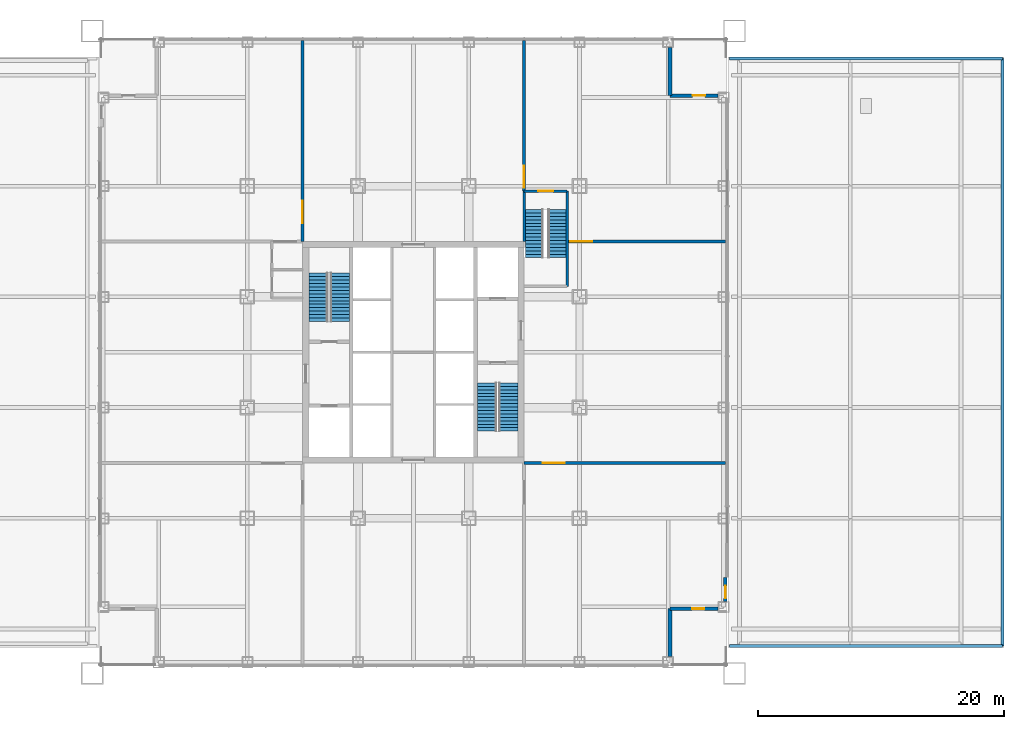
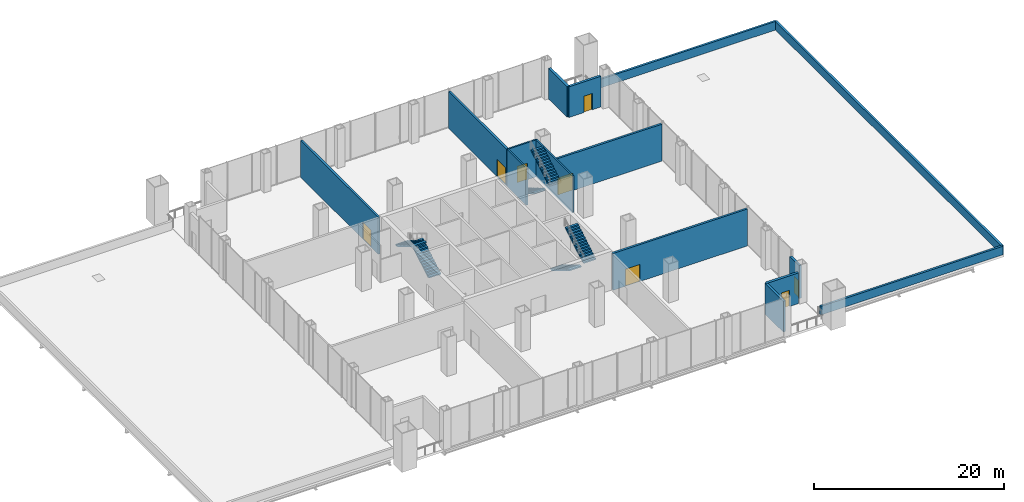
# One storey, part 15 of 16: 15 walls, 8 doors, 6 stair flights, 8 openings, 3 elements without a shape of their own.
"""IFC4 building model written with IfcOpenShell, lengths in metres."""

from ifc_helpers import new_model, si_unit, direction, frame, frame_2d, origin, place, context, subcontext, project, spatial, polyline, rectangle, outline, extrude, material, layer, layer_set, type_object, element, fill, aggregate, save


model = new_model("IFC4")

# Units and contexts
model_context = context("Model", 3, precision=1e-05, world=origin(), true_north=direction((0.0, 1.0)))
body_context = subcontext(model_context, "Body", "Model", "MODEL_VIEW")
ifc_project = project(units=[si_unit("LENGTHUNIT", "METRE"), si_unit("AREAUNIT", "SQUARE_METRE"), si_unit("VOLUMEUNIT", "CUBIC_METRE"), si_unit("PLANEANGLEUNIT", "RADIAN"), si_unit("MASSUNIT", "GRAM", prefix="KILO")], contexts=[model_context])

# Site, building, storey
site_placement = place(None, origin())
site = spatial("IfcSite", under=ifc_project, at=site_placement, CompositionType="ELEMENT")
building_placement = place(site_placement, origin())
building = spatial("IfcBuilding", under=site, at=building_placement, Name="Malebo Sky Hospital", CompositionType="ELEMENT")
storey_placement = place(building_placement, frame((0.0, 0.0, 26.0)))
storey = spatial("IfcBuildingStorey", under=building, at=storey_placement, Name="L05", CompositionType="ELEMENT", Elevation=26.0)

# Wall, opening, door
ifc_material_1 = material(Name="Anodised aluminium rainscreen on steel framing", Category="steel")
ifc_layer_1 = layer(ifc_material_1, 0.300048828125)
ifc_layer_set_1 = layer_set([ifc_layer_1], Name="NOTCH RAINSCREEN WALL 300")
wall_type_1 = type_object("IfcWallType", Name="NOTCH RAINSCREEN WALL 300", PredefinedType="ELEMENTEDWALL", material=ifc_layer_set_1)
wall_1_placement = place(storey_placement, frame((85.35009765625, 43.699951171875, 0.0), z_axis=(0.0, 0.0, 1.0), x_axis=(0.0, -1.0, 0.0)))
wall_1 = element("IfcWall", 1, at=wall_1_placement, inside=storey, type_object=wall_type_1, Name="Rainscreen panel at maintenance door L05", PredefinedType="ELEMENTEDWALL", context=body_context, shape_type="SweptSolid", body=[
    extrude(rectangle(XDim=1.949951171875, YDim=0.300048828125, at=frame_2d((0.97509765625, 0.0))), origin(), (0.0, 0.0, 1.0), 4.25),
])
opening_1_placement = place(wall_1_placement, frame((0.699951171875, 0.0, 0.0)))
opening_1 = element("IfcOpeningElement", 2, at=opening_1_placement, cuts=wall_1, Name="Opening D30", PredefinedType="OPENING", context=body_context, shape_type="SweptSolid", body=[
    extrude(rectangle(XDim=1.0, YDim=2.10009765625, at=frame_2d((0.5, 1.050048828125))), frame((0.0, 0.159912109375, 0.0), z_axis=(0.0, -1.0, 0.0), x_axis=(1.0, 0.0, 0.0)), (0.0, 0.0, 1.0), 0.320068359375),
])
ifc_material_2 = material(Name="Galvanised steel weathertight door leaf in steel frame", Category="steel")
door_type_1 = type_object("IfcDoorType", Name="MAINTENANCE ACCESS DOOR 1000", OperationType="SINGLE_SWING_LEFT", PredefinedType="DOOR", material=ifc_material_2)
door_1_placement = place(opening_1_placement, frame((1.0, 0.0, 0.0), z_axis=(0.0, 0.0, 1.0), x_axis=(-1.0, 0.0, 0.0)))
door_1 = element("IfcDoor", 3, at=door_1_placement, inside=storey, type_object=door_type_1, Name="Maintenance access door to roof", OperationType="SINGLE_SWING_RIGHT", OverallHeight=2.10009765625, OverallWidth=1.0, PredefinedType="DOOR", context=body_context, shape_type="SweptSolid", body=[
    extrude(rectangle(XDim=1.0, YDim=2.10009765625, at=frame_2d((0.5, 1.050048828125))), frame((0.0, 0.02490234375, 0.0), z_axis=(0.0, -1.0, 0.0), x_axis=(1.0, 0.0, 0.0)), (0.0, 0.0, 1.0), 0.050048828125),
])
fill(opening_1, door_1)

# Wall
wall_2_placement = place(storey_placement, frame((80.85009765625, 86.75, 0.0), z_axis=(0.0, 0.0, 1.0), x_axis=(0.0, -1.0, 0.0)))
element("IfcWall", 4, at=wall_2_placement, inside=storey, type_object=wall_type_1, Name="Notch rainscreen wall N1 L05", PredefinedType="ELEMENTEDWALL", context=body_context, shape_type="SweptSolid", body=[
    extrude(rectangle(XDim=3.89990234375, YDim=0.300048828125, at=frame_2d((1.949951171875, 0.0))), origin(), (0.0, 0.0, 1.0), 3.949951171875),
])

# Wall, opening, door
wall_3_placement = place(storey_placement, frame((80.85009765625, 82.85009765625, 0.0), z_axis=(0.0, 0.0, 1.0), x_axis=(1.0, 0.0, 0.0)))
wall_3 = element("IfcWall", 5, at=wall_3_placement, inside=storey, type_object=wall_type_1, Name="Notch rainscreen wall N2 L05", PredefinedType="ELEMENTEDWALL", context=body_context, shape_type="SweptSolid", body=[
    extrude(rectangle(XDim=3.89990234375, YDim=0.300048828125, at=frame_2d((1.949951171875, 0.0))), origin(), (0.0, 0.0, 1.0), 3.949951171875),
])
opening_2_placement = place(wall_3_placement, frame((1.85009765625, 0.0, 0.0)))
opening_2 = element("IfcOpeningElement", 6, at=opening_2_placement, cuts=wall_3, Name="Opening D30", PredefinedType="OPENING", context=body_context, shape_type="SweptSolid", body=[
    extrude(rectangle(XDim=1.0, YDim=2.10009765625, at=frame_2d((0.5, 1.050048828125))), frame((0.0, 0.159912109375, 0.0), z_axis=(0.0, -1.0, 0.0), x_axis=(1.0, 0.0, 0.0)), (0.0, 0.0, 1.0), 0.320068359375),
])
door_2_placement = place(opening_2_placement, frame((1.0, 0.0, 0.0), z_axis=(0.0, 0.0, 1.0), x_axis=(-1.0, 0.0, 0.0)))
door_2 = element("IfcDoor", 7, at=door_2_placement, inside=storey, type_object=door_type_1, Name="Maintenance access door to roof", OperationType="SINGLE_SWING_RIGHT", OverallHeight=2.10009765625, OverallWidth=1.0, PredefinedType="DOOR", context=body_context, shape_type="SweptSolid", body=[
    extrude(rectangle(XDim=1.0, YDim=2.10009765625, at=frame_2d((0.5, 1.050048828125))), frame((0.0, 0.02490234375, 0.0), z_axis=(0.0, -1.0, 0.0), x_axis=(1.0, 0.0, 0.0)), (0.0, 0.0, 1.0), 0.050048828125),
])
fill(opening_2, door_2)

wall_4_placement = place(storey_placement, frame((84.75, 41.14990234375, 0.0), z_axis=(0.0, 0.0, 1.0), x_axis=(-1.0, 0.0, 0.0)))
wall_4 = element("IfcWall", 8, at=wall_4_placement, inside=storey, type_object=wall_type_1, Name="Notch rainscreen wall E1 L05", PredefinedType="ELEMENTEDWALL", context=body_context, shape_type="SweptSolid", body=[
    extrude(rectangle(XDim=3.89990234375, YDim=0.300048828125, at=frame_2d((1.949951171875, 0.0))), origin(), (0.0, 0.0, 1.0), 3.949951171875),
])
opening_3_placement = place(wall_4_placement, frame((1.10009765625, 0.0, 0.0)))
opening_3 = element("IfcOpeningElement", 9, at=opening_3_placement, cuts=wall_4, Name="Opening D30", PredefinedType="OPENING", context=body_context, shape_type="SweptSolid", body=[
    extrude(rectangle(XDim=1.0, YDim=2.10009765625, at=frame_2d((0.5, 1.050048828125))), frame((0.0, 0.159912109375, 0.0), z_axis=(0.0, -1.0, 0.0), x_axis=(1.0, 0.0, 0.0)), (0.0, 0.0, 1.0), 0.320068359375),
])
door_3_placement = place(opening_3_placement, frame((1.0, 0.0, 0.0), z_axis=(0.0, 0.0, 1.0), x_axis=(-1.0, 0.0, 0.0)))
door_3 = element("IfcDoor", 10, at=door_3_placement, inside=storey, type_object=door_type_1, Name="Maintenance access door to roof", OperationType="SINGLE_SWING_RIGHT", OverallHeight=2.10009765625, OverallWidth=1.0, PredefinedType="DOOR", context=body_context, shape_type="SweptSolid", body=[
    extrude(rectangle(XDim=1.0, YDim=2.10009765625, at=frame_2d((0.5, 1.050048828125))), frame((0.0, 0.02490234375, 0.0), z_axis=(0.0, -1.0, 0.0), x_axis=(1.0, 0.0, 0.0)), (0.0, 0.0, 1.0), 0.050048828125),
])
fill(opening_3, door_3)

# Walls
wall_5_placement = place(storey_placement, frame((80.85009765625, 41.14990234375, 0.0), z_axis=(0.0, 0.0, 1.0), x_axis=(0.0, -1.0, 0.0)))
element("IfcWall", 11, at=wall_5_placement, inside=storey, type_object=wall_type_1, Name="Notch rainscreen wall E2 L05", PredefinedType="ELEMENTEDWALL", context=body_context, shape_type="SweptSolid", body=[
    extrude(rectangle(XDim=3.89990234375, YDim=0.300048828125, at=frame_2d((1.949951171875, 0.0))), origin(), (0.0, 0.0, 1.0), 3.949951171875),
])
ifc_material_3 = material(Name="Reinforced concrete upstand with aluminium coping", Category="concrete")
ifc_layer_2 = layer(ifc_material_3, 0.25)
ifc_layer_set_2 = layer_set([ifc_layer_2], Name="PARAPET 250")
wall_type_2 = type_object("IfcWallType", Name="PARAPET 250", PredefinedType="PARAPET", material=ifc_layer_set_2)
wall_6_placement = place(storey_placement, frame((107.875, 38.125, 0.0), z_axis=(0.0, 0.0, 1.0), x_axis=(0.0, 1.0, 0.0)))
element("IfcWall", 12, at=wall_6_placement, inside=storey, type_object=wall_type_2, Name="Podium roof parapet EE", PredefinedType="PARAPET", context=body_context, shape_type="SweptSolid", body=[
    extrude(rectangle(XDim=47.75, YDim=0.25, at=frame_2d((23.875, 0.0))), origin(), (0.0, 0.0, 1.0), 1.10009765625),
])
for number, where, z_axis, x_axis, name in (
    (13, (85.699951171875, 38.125, 0.0), (0.0, 0.0, 1.0), (1.0, 0.0, 0.0), "Podium roof parapet ES"),
    (14, (85.699951171875, 85.875, 0.0), (0.0, 0.0, 1.0), (1.0, 0.0, 0.0), "Podium roof parapet EN"),
):
    element("IfcWall", number, at=place(storey_placement, frame(where, z_axis=z_axis, x_axis=x_axis)), inside=storey, type_object=wall_type_2, Name=name, PredefinedType="PARAPET", context=body_context, shape_type="SweptSolid", body=[
        extrude(rectangle(XDim=22.175048828125, YDim=0.25, at=frame_2d((11.08740234375, 0.0))), origin(), (0.0, 0.0, 1.0), 1.10009765625),
    ])

# Wall, opening, door
ifc_material_4 = material(Name="Concrete blockwork", Category="masonry")
ifc_layer_3 = layer(ifc_material_4, 0.25)
ifc_layer_set_3 = layer_set([ifc_layer_3], Name="PLANT ROOM WALL 250")
wall_type_3 = type_object("IfcWallType", Name="PLANT ROOM WALL 250", PredefinedType="SOLIDWALL", material=ifc_layer_set_3)
wall_7_placement = place(storey_placement, frame((69.0, 75.10009765625, 0.0), z_axis=(0.0, 0.0, 1.0), x_axis=(0.0, 1.0, 0.0)))
wall_7 = element("IfcWall", 15, at=wall_7_placement, inside=storey, type_object=wall_type_3, Name="Plant Room Wall 250 NP9", PredefinedType="SOLIDWALL", context=body_context, shape_type="SweptSolid", body=[
    extrude(rectangle(XDim=12.25, YDim=0.25, at=frame_2d((6.125, 0.0))), origin(), (0.0, 0.0, 1.0), 4.75),
])
opening_4_placement = place(wall_7_placement, frame((0.25, 0.0, 0.0)))
opening_4 = element("IfcOpeningElement", 16, at=opening_4_placement, cuts=wall_7, Name="Opening D09", PredefinedType="OPENING", context=body_context, shape_type="SweptSolid", body=[
    extrude(rectangle(XDim=1.800048828125, YDim=2.199951171875, at=frame_2d((0.89990234375, 1.10009765625))), frame((0.0, 0.135009765625, 0.0), z_axis=(0.0, -1.0, 0.0), x_axis=(1.0, 0.0, 0.0)), (0.0, 0.0, 1.0), 0.27001953125),
])
ifc_material_5 = material(Name="Hardwood-faced door leaf in steel frame", Category="steel")
door_type_2 = type_object("IfcDoorType", Name="PLANT ROOM DOOR PAIR 1800", OperationType="DOUBLE_DOOR_SINGLE_SWING", PredefinedType="DOOR", material=ifc_material_5)
door_4_placement = place(opening_4_placement, origin())
door_4 = element("IfcDoor", 17, at=door_4_placement, inside=storey, type_object=door_type_2, Name="Medical gas plant room door", OperationType="DOUBLE_DOOR_SINGLE_SWING", OverallHeight=2.199951171875, OverallWidth=1.800048828125, PredefinedType="DOOR", context=body_context, shape_type="SweptSolid", body=[
    extrude(rectangle(XDim=1.800048828125, YDim=2.199951171875, at=frame_2d((0.89990234375, 1.10009765625))), frame((0.0, 0.02490234375, 0.0), z_axis=(0.0, -1.0, 0.0), x_axis=(1.0, 0.0, 0.0)), (0.0, 0.0, 1.0), 0.050048828125),
])
fill(opening_4, door_4)

wall_8_placement = place(storey_placement, frame((51.0, 71.0, 0.0), z_axis=(0.0, 0.0, 1.0), x_axis=(0.0, 1.0, 0.0)))
wall_8 = element("IfcWall", 18, at=wall_8_placement, inside=storey, type_object=wall_type_3, Name="Plant Room Wall 250 NP8", PredefinedType="SOLIDWALL", context=body_context, shape_type="SweptSolid", body=[
    extrude(rectangle(XDim=16.35009765625, YDim=0.25, at=frame_2d((8.175048828125, 0.0))), origin(), (0.0, 0.0, 1.0), 4.75),
])
opening_5_placement = place(wall_8_placement, frame((1.5, 0.0, 0.0)))
opening_5 = element("IfcOpeningElement", 19, at=opening_5_placement, cuts=wall_8, Name="Opening D09", PredefinedType="OPENING", context=body_context, shape_type="SweptSolid", body=[
    extrude(rectangle(XDim=1.800048828125, YDim=2.199951171875, at=frame_2d((0.89990234375, 1.10009765625))), frame((0.0, 0.135009765625, 0.0), z_axis=(0.0, -1.0, 0.0), x_axis=(1.0, 0.0, 0.0)), (0.0, 0.0, 1.0), 0.27001953125),
])
door_5_placement = place(opening_5_placement, origin())
door_5 = element("IfcDoor", 20, at=door_5_placement, inside=storey, type_object=door_type_2, Name="Air handling plant room door", OperationType="DOUBLE_DOOR_SINGLE_SWING", OverallHeight=2.199951171875, OverallWidth=1.800048828125, PredefinedType="DOOR", context=body_context, shape_type="SweptSolid", body=[
    extrude(rectangle(XDim=1.800048828125, YDim=2.199951171875, at=frame_2d((0.89990234375, 1.10009765625))), frame((0.0, 0.02490234375, 0.0), z_axis=(0.0, -1.0, 0.0), x_axis=(1.0, 0.0, 0.0)), (0.0, 0.0, 1.0), 0.050048828125),
])
fill(opening_5, door_5)

wall_9_placement = place(storey_placement, frame((69.0, 53.0, 0.0), z_axis=(0.0, 0.0, 1.0), x_axis=(1.0, 0.0, 0.0)))
wall_9 = element("IfcWall", 21, at=wall_9_placement, inside=storey, type_object=wall_type_3, Name="Plant Room Wall 250 EP9", PredefinedType="SOLIDWALL", context=body_context, shape_type="SweptSolid", body=[
    extrude(rectangle(XDim=16.35009765625, YDim=0.25, at=frame_2d((8.175048828125, 0.0))), origin(), (0.0, 0.0, 1.0), 4.75),
])
opening_6_placement = place(wall_9_placement, frame((1.5, 0.0, 0.0)))
opening_6 = element("IfcOpeningElement", 22, at=opening_6_placement, cuts=wall_9, Name="Opening D09", PredefinedType="OPENING", context=body_context, shape_type="SweptSolid", body=[
    extrude(rectangle(XDim=1.800048828125, YDim=2.199951171875, at=frame_2d((0.89990234375, 1.10009765625))), frame((0.0, 0.135009765625, 0.0), z_axis=(0.0, -1.0, 0.0), x_axis=(1.0, 0.0, 0.0)), (0.0, 0.0, 1.0), 0.27001953125),
])
door_6_placement = place(opening_6_placement, origin())
door_6 = element("IfcDoor", 23, at=door_6_placement, inside=storey, type_object=door_type_2, Name="Fire pump room door", OperationType="DOUBLE_DOOR_SINGLE_SWING", OverallHeight=2.199951171875, OverallWidth=1.800048828125, PredefinedType="DOOR", context=body_context, shape_type="SweptSolid", body=[
    extrude(rectangle(XDim=1.800048828125, YDim=2.199951171875, at=frame_2d((0.89990234375, 1.10009765625))), frame((0.0, 0.02490234375, 0.0), z_axis=(0.0, -1.0, 0.0), x_axis=(1.0, 0.0, 0.0)), (0.0, 0.0, 1.0), 0.050048828125),
])
fill(opening_6, door_6)

wall_10_placement = place(storey_placement, frame((72.5, 71.0, 0.0), z_axis=(0.0, 0.0, 1.0), x_axis=(1.0, 0.0, 0.0)))
wall_10 = element("IfcWall", 24, at=wall_10_placement, inside=storey, type_object=wall_type_3, Name="Plant Room Wall 250 EP8", PredefinedType="SOLIDWALL", context=body_context, shape_type="SweptSolid", body=[
    extrude(rectangle(XDim=12.85009765625, YDim=0.25, at=frame_2d((6.425048828125, 0.0))), origin(), (0.0, 0.0, 1.0), 4.75),
])
opening_7_placement = place(wall_10_placement, frame((0.25, 0.0, 0.0)))
opening_7 = element("IfcOpeningElement", 25, at=opening_7_placement, cuts=wall_10, Name="Opening D09", PredefinedType="OPENING", context=body_context, shape_type="SweptSolid", body=[
    extrude(rectangle(XDim=1.800048828125, YDim=2.199951171875, at=frame_2d((0.89990234375, 1.10009765625))), frame((0.0, 0.135009765625, 0.0), z_axis=(0.0, -1.0, 0.0), x_axis=(1.0, 0.0, 0.0)), (0.0, 0.0, 1.0), 0.27001953125),
])
door_7_placement = place(opening_7_placement, origin())
door_7 = element("IfcDoor", 26, at=door_7_placement, inside=storey, type_object=door_type_2, Name="Refuge area east door", OperationType="DOUBLE_DOOR_SINGLE_SWING", OverallHeight=2.199951171875, OverallWidth=1.800048828125, PredefinedType="DOOR", context=body_context, shape_type="SweptSolid", body=[
    extrude(rectangle(XDim=1.800048828125, YDim=2.199951171875, at=frame_2d((0.89990234375, 1.10009765625))), frame((0.0, 0.02490234375, 0.0), z_axis=(0.0, -1.0, 0.0), x_axis=(1.0, 0.0, 0.0)), (0.0, 0.0, 1.0), 0.050048828125),
])
fill(opening_7, door_7)

# Walls
ifc_material_6 = material(Name="Concrete C40/50", Category="concrete")
ifc_layer_4 = layer(ifc_material_6, 0.199951171875)
ifc_layer_set_4 = layer_set([ifc_layer_4], Name="STAIR ENCLOSURE WALL 200")
wall_type_4 = type_object("IfcWallType", Name="STAIR ENCLOSURE WALL 200", PredefinedType="SOLIDWALL", material=ifc_layer_set_4)
wall_11_placement = place(storey_placement, frame((69.0, 71.0, 0.0), z_axis=(0.0, 0.0, 1.0), x_axis=(0.0, 1.0, 0.0)))
element("IfcWall", 27, at=wall_11_placement, inside=storey, type_object=wall_type_4, Name="Stair Enclosure Wall 200 ST3W", PredefinedType="SOLIDWALL", context=body_context, shape_type="SweptSolid", body=[
    extrude(rectangle(XDim=4.10009765625, YDim=0.199951171875, at=frame_2d((2.050048828125, 0.0))), origin(), (0.0, 0.0, 1.0), 4.75),
])
wall_12_placement = place(storey_placement, frame((72.5, 67.35009765625, 0.0), z_axis=(0.0, 0.0, 1.0), x_axis=(0.0, 1.0, 0.0)))
element("IfcWall", 28, at=wall_12_placement, inside=storey, type_object=wall_type_4, Name="Stair Enclosure Wall 200 ST3E", PredefinedType="SOLIDWALL", context=body_context, shape_type="SweptSolid", body=[
    extrude(rectangle(XDim=7.75, YDim=0.199951171875, at=frame_2d((3.875, 0.0))), origin(), (0.0, 0.0, 1.0), 4.75),
])

# Wall, opening, door
wall_13_placement = place(storey_placement, frame((69.0, 75.10009765625, 0.0), z_axis=(0.0, 0.0, 1.0), x_axis=(1.0, 0.0, 0.0)))
wall_13 = element("IfcWall", 29, at=wall_13_placement, inside=storey, type_object=wall_type_4, Name="Stair Enclosure Wall 200 ST3N", PredefinedType="SOLIDWALL", context=body_context, shape_type="SweptSolid", body=[
    extrude(rectangle(XDim=3.5, YDim=0.199951171875, at=frame_2d((1.75, 0.0))), origin(), (0.0, 0.0, 1.0), 4.75),
])
opening_8_placement = place(wall_13_placement, frame((1.14990234375, 0.0, 0.0)))
opening_8 = element("IfcOpeningElement", 30, at=opening_8_placement, cuts=wall_13, Name="Opening D08", PredefinedType="OPENING", context=body_context, shape_type="SweptSolid", body=[
    extrude(rectangle(XDim=1.199951171875, YDim=2.10009765625, at=frame_2d((0.60009765625, 1.050048828125))), frame((0.0, 0.10986328125, 0.0), z_axis=(0.0, -1.0, 0.0), x_axis=(1.0, 0.0, 0.0)), (0.0, 0.0, 1.0), 0.219970703125),
])
door_type_3 = type_object("IfcDoorType", Name="STAIR DOOR 1200", OperationType="SINGLE_SWING_LEFT", PredefinedType="DOOR", material=ifc_material_5)
door_8_placement = place(opening_8_placement, origin())
door_8 = element("IfcDoor", 31, at=door_8_placement, inside=storey, type_object=door_type_3, Name="Stair S3 door", OperationType="SINGLE_SWING_LEFT", OverallHeight=2.10009765625, OverallWidth=1.199951171875, PredefinedType="DOOR", context=body_context, shape_type="SweptSolid", body=[
    extrude(rectangle(XDim=1.199951171875, YDim=2.10009765625, at=frame_2d((0.60009765625, 1.050048828125))), frame((0.0, 0.02490234375, 0.0), z_axis=(0.0, -1.0, 0.0), x_axis=(1.0, 0.0, 0.0)), (0.0, 0.0, 1.0), 0.050048828125),
])
fill(opening_8, door_8)

# Stair, stair flights
stair_type_1 = type_object("IfcStairType", Name="HALF-TURN STAIR 1400 R167", PredefinedType="HALF_TURN_STAIR", material=ifc_material_6)
stair_1_placement = place(storey_placement, origin())
stair_1 = element("IfcStair", 32, at=stair_1_placement, inside=storey, type_object=stair_type_1, Name="Stair S3 L05 type ST1B", PredefinedType="HALF_TURN_STAIR")
stair_flight_type_1 = type_object("IfcStairFlightType", Name="STAIR FLIGHT 1400 R167", PredefinedType="STRAIGHT", material=ifc_material_6)
stair_flight_1_placement = place(storey_placement, frame((69.800048828125, 73.60009765625, 0.0), z_axis=(0.0, 0.0, 1.0), x_axis=(0.0, -1.0, 0.0)))
stair_flight_1 = element("IfcStairFlight", 33, at=stair_flight_1_placement, type_object=stair_flight_type_1, Name="S3 flight 1 type SF1B", NumberOfRisers=15, NumberOfTreads=14, PredefinedType="STRAIGHT", RiserHeight=0.166666667, TreadLength=0.28, context=body_context, shape_type="SweptSolid", body=[
    extrude(outline(polyline([(0.0, 0.0), (0.0, 0.166748046875), (0.280029296875, 0.166748046875), (0.280029296875, 0.333251953125), (0.56005859375, 0.333251953125), (0.56005859375, 0.5), (0.840087890625, 0.5), (0.840087890625, 0.666748046875), (1.1201171875, 0.666748046875), (1.1201171875, 0.833251953125), (1.39990234375, 0.833251953125), (1.39990234375, 1.0), (1.679931640625, 1.0), (1.679931640625, 1.166748046875), (1.9599609375, 1.166748046875), (1.9599609375, 1.333251953125), (2.239990234375, 1.333251953125), (2.239990234375, 1.5), (2.52001953125, 1.5), (2.52001953125, 1.666748046875), (2.800048828125, 1.666748046875), (2.800048828125, 1.833251953125), (3.080078125, 1.833251953125), (3.080078125, 2.0), (3.360107421875, 2.0), (3.360107421875, 2.166748046875), (3.639892578125, 2.166748046875), (3.639892578125, 2.333251953125), (3.919921875, 2.333251953125), (3.919921875, 2.5), (3.919921875, 2.158935546875), (0.29296875, 0.0), (0.0, 0.0)])), frame((0.0, 0.699951171875, 0.0), z_axis=(0.0, -1.0, 0.0), x_axis=(1.0, 0.0, 0.0)), (0.0, 0.0, 1.0), 1.39990234375),
])
stair_flight_2_placement = place(storey_placement, frame((71.699951171875, 69.679931640625, 2.5), z_axis=(0.0, 0.0, 1.0), x_axis=(0.0, 1.0, 0.0)))
stair_flight_2 = element("IfcStairFlight", 34, at=stair_flight_2_placement, type_object=stair_flight_type_1, Name="S3 flight 2 type SF1B", NumberOfRisers=15, NumberOfTreads=14, PredefinedType="STRAIGHT", RiserHeight=0.166666667, TreadLength=0.28, context=body_context, shape_type="SweptSolid", body=[
    extrude(outline(polyline([(0.0, 0.0), (0.0, 0.166748046875), (0.280029296875, 0.166748046875), (0.280029296875, 0.333251953125), (0.56005859375, 0.333251953125), (0.56005859375, 0.5), (0.840087890625, 0.5), (0.840087890625, 0.666748046875), (1.1201171875, 0.666748046875), (1.1201171875, 0.833251953125), (1.39990234375, 0.833251953125), (1.39990234375, 1.0), (1.679931640625, 1.0), (1.679931640625, 1.166748046875), (1.9599609375, 1.166748046875), (1.9599609375, 1.333251953125), (2.239990234375, 1.333251953125), (2.239990234375, 1.5), (2.52001953125, 1.5), (2.52001953125, 1.666748046875), (2.800048828125, 1.666748046875), (2.800048828125, 1.833251953125), (3.080078125, 1.833251953125), (3.080078125, 2.0), (3.360107421875, 2.0), (3.360107421875, 2.166748046875), (3.639892578125, 2.166748046875), (3.639892578125, 2.333251953125), (3.919921875, 2.333251953125), (3.919921875, 2.5), (3.919921875, 2.158935546875), (0.29296875, 0.0), (0.0, 0.0)])), frame((0.0, 0.699951171875, 0.0), z_axis=(0.0, -1.0, 0.0), x_axis=(1.0, 0.0, 0.0)), (0.0, 0.0, 1.0), 1.39990234375),
])
aggregate(stair_1, [stair_flight_1, stair_flight_2])

stair_type_2 = type_object("IfcStairType", Name="HALF-TURN STAIR 1500 R167", PredefinedType="HALF_TURN_STAIR", material=ifc_material_6)
stair_2_placement = place(storey_placement, origin())
stair_2 = element("IfcStair", 35, at=stair_2_placement, inside=storey, type_object=stair_type_2, Name="Stair S1 L05 type ST1", PredefinedType="HALF_TURN_STAIR")
stair_flight_type_2 = type_object("IfcStairFlightType", Name="STAIR FLIGHT 1500 R167", PredefinedType="STRAIGHT", material=ifc_material_6)
stair_flight_3_placement = place(storey_placement, frame((54.050048828125, 64.5, 0.0), z_axis=(0.0, 0.0, 1.0), x_axis=(0.0, 1.0, 0.0)))
stair_flight_3 = element("IfcStairFlight", 36, at=stair_flight_3_placement, type_object=stair_flight_type_2, Name="S1 flight 1 type SF1", NumberOfRisers=15, NumberOfTreads=14, PredefinedType="STRAIGHT", RiserHeight=0.166666667, TreadLength=0.28, context=body_context, shape_type="SweptSolid", body=[
    extrude(outline(polyline([(0.0, 0.0), (0.0, 0.166748046875), (0.280029296875, 0.166748046875), (0.280029296875, 0.333251953125), (0.56005859375, 0.333251953125), (0.56005859375, 0.5), (0.840087890625, 0.5), (0.840087890625, 0.666748046875), (1.1201171875, 0.666748046875), (1.1201171875, 0.833251953125), (1.39990234375, 0.833251953125), (1.39990234375, 1.0), (1.679931640625, 1.0), (1.679931640625, 1.166748046875), (1.9599609375, 1.166748046875), (1.9599609375, 1.333251953125), (2.239990234375, 1.333251953125), (2.239990234375, 1.5), (2.52001953125, 1.5), (2.52001953125, 1.666748046875), (2.800048828125, 1.666748046875), (2.800048828125, 1.833251953125), (3.080078125, 1.833251953125), (3.080078125, 2.0), (3.360107421875, 2.0), (3.360107421875, 2.166748046875), (3.639892578125, 2.166748046875), (3.639892578125, 2.333251953125), (3.919921875, 2.333251953125), (3.919921875, 2.5), (3.919921875, 2.158935546875), (0.29296875, 0.0), (0.0, 0.0)])), frame((0.0, 0.75, 0.0), z_axis=(0.0, -1.0, 0.0), x_axis=(1.0, 0.0, 0.0)), (0.0, 0.0, 1.0), 1.5),
])
stair_flight_4_placement = place(storey_placement, frame((52.25, 68.419921875, 2.5), z_axis=(0.0, 0.0, 1.0), x_axis=(0.0, -1.0, 0.0)))
stair_flight_4 = element("IfcStairFlight", 37, at=stair_flight_4_placement, type_object=stair_flight_type_2, Name="S1 flight 2 type SF1", NumberOfRisers=15, NumberOfTreads=14, PredefinedType="STRAIGHT", RiserHeight=0.166666667, TreadLength=0.28, context=body_context, shape_type="SweptSolid", body=[
    extrude(outline(polyline([(0.0, 0.0), (0.0, 0.166748046875), (0.280029296875, 0.166748046875), (0.280029296875, 0.333251953125), (0.56005859375, 0.333251953125), (0.56005859375, 0.5), (0.840087890625, 0.5), (0.840087890625, 0.666748046875), (1.1201171875, 0.666748046875), (1.1201171875, 0.833251953125), (1.39990234375, 0.833251953125), (1.39990234375, 1.0), (1.679931640625, 1.0), (1.679931640625, 1.166748046875), (1.9599609375, 1.166748046875), (1.9599609375, 1.333251953125), (2.239990234375, 1.333251953125), (2.239990234375, 1.5), (2.52001953125, 1.5), (2.52001953125, 1.666748046875), (2.800048828125, 1.666748046875), (2.800048828125, 1.833251953125), (3.080078125, 1.833251953125), (3.080078125, 2.0), (3.360107421875, 2.0), (3.360107421875, 2.166748046875), (3.639892578125, 2.166748046875), (3.639892578125, 2.333251953125), (3.919921875, 2.333251953125), (3.919921875, 2.5), (3.919921875, 2.158935546875), (0.29296875, 0.0), (0.0, 0.0)])), frame((0.0, 0.75, 0.0), z_axis=(0.0, -1.0, 0.0), x_axis=(1.0, 0.0, 0.0)), (0.0, 0.0, 1.0), 1.5),
])
aggregate(stair_2, [stair_flight_3, stair_flight_4])

stair_3_placement = place(storey_placement, origin())
stair_3 = element("IfcStair", 38, at=stair_3_placement, inside=storey, type_object=stair_type_2, Name="Stair S2 L05 type ST1", PredefinedType="HALF_TURN_STAIR")
stair_flight_5_placement = place(storey_placement, frame((65.949951171875, 59.5, 0.0), z_axis=(0.0, 0.0, 1.0), x_axis=(0.0, -1.0, 0.0)))
stair_flight_5 = element("IfcStairFlight", 39, at=stair_flight_5_placement, type_object=stair_flight_type_2, Name="S2 flight 1 type SF1", NumberOfRisers=15, NumberOfTreads=14, PredefinedType="STRAIGHT", RiserHeight=0.166666667, TreadLength=0.28, context=body_context, shape_type="SweptSolid", body=[
    extrude(outline(polyline([(0.0, 0.0), (0.0, 0.166748046875), (0.280029296875, 0.166748046875), (0.280029296875, 0.333251953125), (0.56005859375, 0.333251953125), (0.56005859375, 0.5), (0.840087890625, 0.5), (0.840087890625, 0.666748046875), (1.1201171875, 0.666748046875), (1.1201171875, 0.833251953125), (1.39990234375, 0.833251953125), (1.39990234375, 1.0), (1.679931640625, 1.0), (1.679931640625, 1.166748046875), (1.9599609375, 1.166748046875), (1.9599609375, 1.333251953125), (2.239990234375, 1.333251953125), (2.239990234375, 1.5), (2.52001953125, 1.5), (2.52001953125, 1.666748046875), (2.800048828125, 1.666748046875), (2.800048828125, 1.833251953125), (3.080078125, 1.833251953125), (3.080078125, 2.0), (3.360107421875, 2.0), (3.360107421875, 2.166748046875), (3.639892578125, 2.166748046875), (3.639892578125, 2.333251953125), (3.919921875, 2.333251953125), (3.919921875, 2.5), (3.919921875, 2.158935546875), (0.29296875, 0.0), (0.0, 0.0)])), frame((0.0, 0.75, 0.0), z_axis=(0.0, -1.0, 0.0), x_axis=(1.0, 0.0, 0.0)), (0.0, 0.0, 1.0), 1.5),
])
stair_flight_6_placement = place(storey_placement, frame((67.75, 55.580078125, 2.5), z_axis=(0.0, 0.0, 1.0), x_axis=(0.0, 1.0, 0.0)))
stair_flight_6 = element("IfcStairFlight", 40, at=stair_flight_6_placement, type_object=stair_flight_type_2, Name="S2 flight 2 type SF1", NumberOfRisers=15, NumberOfTreads=14, PredefinedType="STRAIGHT", RiserHeight=0.166666667, TreadLength=0.28, context=body_context, shape_type="SweptSolid", body=[
    extrude(outline(polyline([(0.0, 0.0), (0.0, 0.166748046875), (0.280029296875, 0.166748046875), (0.280029296875, 0.333251953125), (0.56005859375, 0.333251953125), (0.56005859375, 0.5), (0.840087890625, 0.5), (0.840087890625, 0.666748046875), (1.1201171875, 0.666748046875), (1.1201171875, 0.833251953125), (1.39990234375, 0.833251953125), (1.39990234375, 1.0), (1.679931640625, 1.0), (1.679931640625, 1.166748046875), (1.9599609375, 1.166748046875), (1.9599609375, 1.333251953125), (2.239990234375, 1.333251953125), (2.239990234375, 1.5), (2.52001953125, 1.5), (2.52001953125, 1.666748046875), (2.800048828125, 1.666748046875), (2.800048828125, 1.833251953125), (3.080078125, 1.833251953125), (3.080078125, 2.0), (3.360107421875, 2.0), (3.360107421875, 2.166748046875), (3.639892578125, 2.166748046875), (3.639892578125, 2.333251953125), (3.919921875, 2.333251953125), (3.919921875, 2.5), (3.919921875, 2.158935546875), (0.29296875, 0.0), (0.0, 0.0)])), frame((0.0, 0.75, 0.0), z_axis=(0.0, -1.0, 0.0), x_axis=(1.0, 0.0, 0.0)), (0.0, 0.0, 1.0), 1.5),
])
aggregate(stair_3, [stair_flight_5, stair_flight_6])

save(model, "model.ifc")
